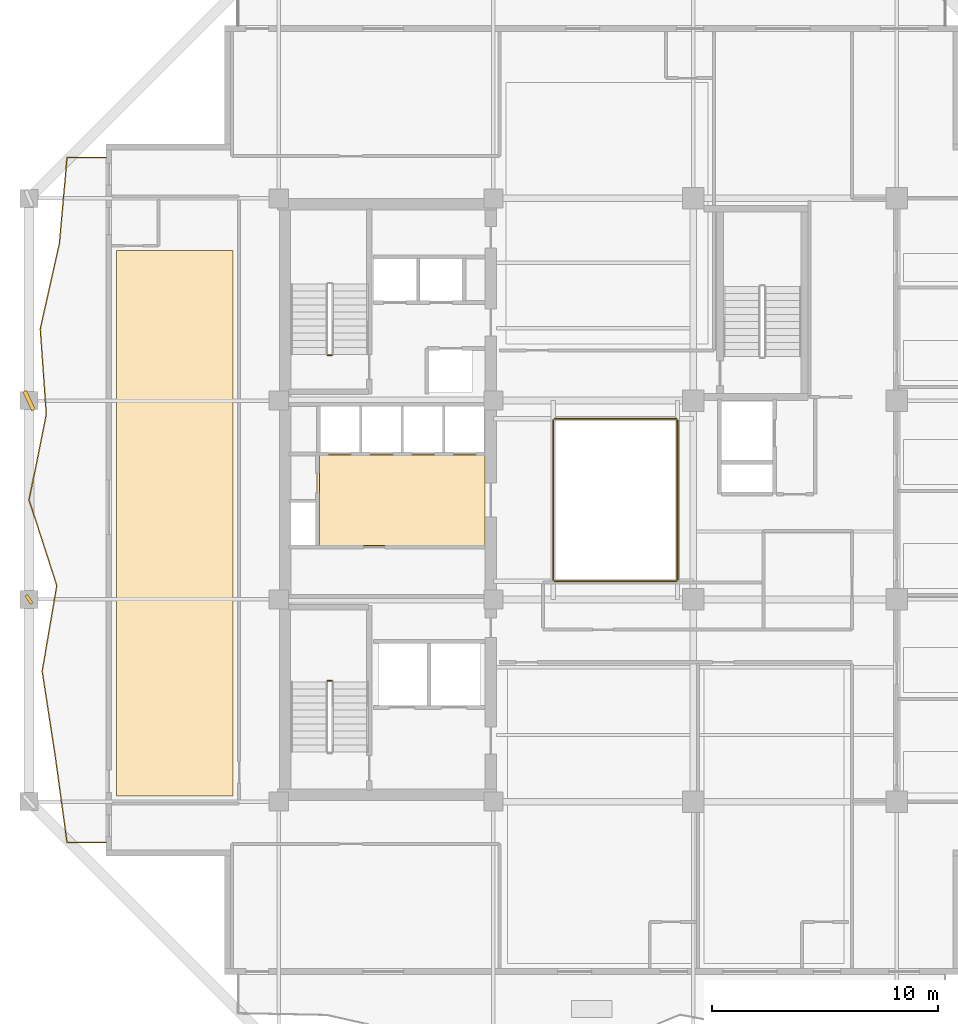
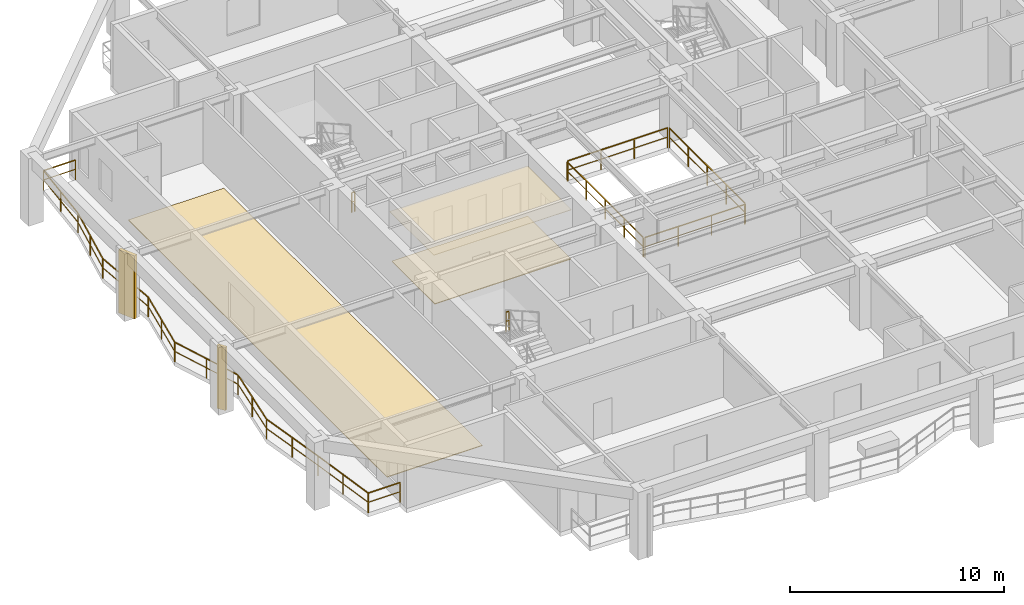
# One storey, part 9 of 13: 7 railings, 3 coverings, 2 shading devices.
"""IFC4 building model written with IfcOpenShell, lengths in metres."""

from ifc_helpers import new_model, si_unit, direction, frame, origin, origin_2d, place, context, subcontext, project, spatial, polyline, rectangle, outline, extrude, material, layer, layer_set, type_object, element, save


model = new_model("IFC4")

# Units and contexts
model_context = context("Model", 3, precision=1e-05, world=origin(), true_north=direction((0.0, 1.0)))
body_context = subcontext(model_context, "Body", "Model", "MODEL_VIEW")
ifc_project = project(units=[si_unit("LENGTHUNIT", "METRE"), si_unit("AREAUNIT", "SQUARE_METRE"), si_unit("VOLUMEUNIT", "CUBIC_METRE"), si_unit("PLANEANGLEUNIT", "RADIAN"), si_unit("MASSUNIT", "GRAM", prefix="KILO")], contexts=[model_context])

# Site, building, storey
site_placement = place(None, origin())
site = spatial("IfcSite", under=ifc_project, at=site_placement, CompositionType="ELEMENT")
building_placement = place(site_placement, origin())
building = spatial("IfcBuilding", under=site, at=building_placement, Name="Kundavana Baori Tower", CompositionType="ELEMENT")
storey_placement = place(building_placement, frame((0.0, 0.0, 184.85009765625)))
storey = spatial("IfcBuildingStorey", under=building, at=storey_placement, Name="L45", CompositionType="ELEMENT", Elevation=184.85009765625)

# Coverings
ifc_material_1 = material(Name="Honed Kota Stone and Terrazzo Flooring", Category="masonry")
ifc_layer_1 = layer(ifc_material_1, 0.0400390625, Name="COV-FLR-TERR-40")
ifc_layer_set_1 = layer_set([ifc_layer_1], Name="Honed Kota Stone and Terrazzo Flooring")
covering_type_1 = type_object("IfcCoveringType", Name="COV-FLR-TERR-40", PredefinedType="FLOORING", material=ifc_layer_set_1)
covering_1_placement = place(storey_placement, origin())
element("IfcCovering", 1, at=covering_1_placement, inside=storey, type_object=covering_type_1, Name="L45 Room Finished Stone Flooring 1", PredefinedType="FLOORING", context=body_context, shape_type="SweptSolid", body=[
    extrude(outline(polyline([(8.280029296875, 15.5), (13.419921875, 15.5), (13.419921875, 39.64990234375), (8.280029296875, 39.64990234375), (8.280029296875, 15.5)])), origin(), (0.0, 0.0, 1.0), 0.039794921875),
])
covering_2_placement = place(storey_placement, origin())
element("IfcCovering", 2, at=covering_2_placement, inside=storey, type_object=covering_type_1, Name="L45 Core Lift Lobby Kota Stone Flooring", PredefinedType="FLOORING", context=body_context, shape_type="SweptSolid", body=[
    extrude(outline(polyline([(17.25, 26.580078125), (24.580078125, 26.580078125), (24.580078125, 30.60009765625), (17.25, 30.60009765625), (17.25, 26.580078125)])), origin(), (0.0, 0.0, 1.0), 0.039794921875),
])
ifc_material_2 = material(Name="Perforated Acoustic Mineral Fibre Ceiling Board")
ifc_layer_2 = layer(ifc_material_2, 0.02490234375, Name="COV-INT-CEIL")
ifc_layer_set_2 = layer_set([ifc_layer_2], Name="Perforated Acoustic Mineral Fibre Ceiling Board")
covering_type_2 = type_object("IfcCoveringType", Name="COV-INT-CEIL", PredefinedType="CEILING", material=ifc_layer_set_2)
covering_3_placement = place(storey_placement, frame((0.0, 0.0, 2.849853515625)))
element("IfcCovering", 3, at=covering_3_placement, inside=storey, type_object=covering_type_2, Name="L45 Core Lift Lobby Acoustic Ceiling", PredefinedType="CEILING", context=body_context, shape_type="SweptSolid", body=[
    extrude(outline(polyline([(17.159912109375, 26.52001953125), (24.580078125, 26.52001953125), (24.580078125, 30.639892578125), (17.159912109375, 30.639892578125), (17.159912109375, 26.52001953125)])), origin(), (0.0, 0.0, 1.0), 0.025146484375),
])

# Railings
ifc_material_3 = material(Name="Architectural Patinated Bronze Metalwork")
railing_type_1 = type_object("IfcRailingType", Name="RL-BAL-1150", PredefinedType="BALUSTRADE", material=ifc_material_3)
railing_1_placement = place(storey_placement, frame((7.800048828125, 13.449951171875, 0.0)))
element("IfcRailing", 4, at=railing_1_placement, inside=storey, type_object=railing_type_1, Name="L45 Loggia Balcony Balustrade W", PredefinedType="BALUSTRADE", context=body_context, shape_type="SweptSolid", body=[
    extrude(rectangle(XDim=0.048095703125, YDim=0.048095703125, at=origin_2d()), frame((0.0, 0.0, 1.1259765625), z_axis=(-1.0, 0.0, 0.0), x_axis=(0.0, -1.0, 0.0)), (0.0, 0.0, 1.0), 1.719970703125),
    extrude(rectangle(XDim=0.03125, YDim=0.03125, at=origin_2d()), frame((0.0, 0.0, 0.597900390625), z_axis=(-1.0, 0.0, 0.0), x_axis=(0.0, -1.0, 0.0)), (0.0, 0.0, 1.0), 1.719970703125),
    extrude(rectangle(XDim=0.048095703125, YDim=0.048095703125, at=origin_2d()), frame((-1.719970703125, 0.0, 1.1259765625), z_axis=(-0.136002139567, 0.990708543434, 0.0), x_axis=(-0.990708543434, -0.136002139567, 0.0)), (0.0, 0.0, 1.0), 3.82373046875),
    extrude(rectangle(XDim=0.03125, YDim=0.03125, at=origin_2d()), frame((-1.719970703125, 0.0, 0.597900390625), z_axis=(-0.136002139567, 0.990708543434, 0.0), x_axis=(-0.990708543434, -0.136002139567, 0.0)), (0.0, 0.0, 1.0), 3.82373046875),
    extrude(rectangle(XDim=0.048095703125, YDim=0.048095703125, at=origin_2d()), frame((-2.239990234375, 3.7880859375, 1.1259765625), z_axis=(-0.151913531628, 0.988393787368, 0.0), x_axis=(-0.988393787368, -0.151913531628, 0.0)), (0.0, 0.0, 1.0), 3.831298828125),
    extrude(rectangle(XDim=0.03125, YDim=0.03125, at=origin_2d()), frame((-2.239990234375, 3.7880859375, 0.597900390625), z_axis=(-0.151913531628, 0.988393787368, 0.0), x_axis=(-0.988393787368, -0.151913531628, 0.0)), (0.0, 0.0, 1.0), 3.831298828125),
    extrude(rectangle(XDim=0.048095703125, YDim=0.048095703125, at=origin_2d()), frame((-2.822021484375, 7.574951171875, 1.1259765625), z_axis=(0.16839585765, 0.985719450516, 0.0), x_axis=(-0.985719450516, 0.16839585765, 0.0)), (0.0, 0.0, 1.0), 3.842041015625),
    extrude(rectangle(XDim=0.03125, YDim=0.03125, at=origin_2d()), frame((-2.822021484375, 7.574951171875, 0.597900390625), z_axis=(0.16839585765, 0.985719450516, 0.0), x_axis=(-0.985719450516, 0.16839585765, 0.0)), (0.0, 0.0, 1.0), 3.842041015625),
    extrude(rectangle(XDim=0.048095703125, YDim=0.048095703125, at=origin_2d()), frame((-2.175048828125, 11.362060546875, 1.1259765625), z_axis=(-0.307715790577, 0.951478319369, 0.0), x_axis=(-0.951478319369, -0.307715790577, 0.0)), (0.0, 0.0, 1.0), 3.981201171875),
    extrude(rectangle(XDim=0.03125, YDim=0.03125, at=origin_2d()), frame((-2.175048828125, 11.362060546875, 0.597900390625), z_axis=(-0.307715790577, 0.951478319369, 0.0), x_axis=(-0.951478319369, -0.307715790577, 0.0)), (0.0, 0.0, 1.0), 3.981201171875),
    extrude(rectangle(XDim=0.048095703125, YDim=0.048095703125, at=origin_2d()), frame((-3.400146484375, 15.150146484375, 1.1259765625), z_axis=(0.19672373461, 0.980458959998, 0.0), x_axis=(-0.980458959998, 0.19672373461, 0.0)), (0.0, 0.0, 1.0), 3.86328125),
    extrude(rectangle(XDim=0.03125, YDim=0.03125, at=origin_2d()), frame((-3.400146484375, 15.150146484375, 0.597900390625), z_axis=(0.19672373461, 0.980458959998, 0.0), x_axis=(-0.980458959998, 0.19672373461, 0.0)), (0.0, 0.0, 1.0), 3.86328125),
    extrude(rectangle(XDim=0.048095703125, YDim=0.048095703125, at=origin_2d()), frame((-2.64013671875, 18.93798828125, 1.1259765625), z_axis=(-0.070287311749, 0.997526788516, 0.0), x_axis=(-0.997526788516, -0.070287311749, 0.0)), (0.0, 0.0, 1.0), 3.79638671875),
    extrude(rectangle(XDim=0.03125, YDim=0.03125, at=origin_2d()), frame((-2.64013671875, 18.93798828125, 0.597900390625), z_axis=(-0.070287311749, 0.997526788516, 0.0), x_axis=(-0.997526788516, -0.070287311749, 0.0)), (0.0, 0.0, 1.0), 3.79638671875),
    extrude(rectangle(XDim=0.048095703125, YDim=0.048095703125, at=origin_2d()), frame((-2.906982421875, 22.72509765625, 1.1259765625), z_axis=(0.218735210275, 0.975784252684, 0.0), x_axis=(-0.975784252684, 0.218735210275, 0.0)), (0.0, 0.0, 1.0), 3.880859375),
    extrude(rectangle(XDim=0.03125, YDim=0.03125, at=origin_2d()), frame((-2.906982421875, 22.72509765625, 0.597900390625), z_axis=(0.218735210275, 0.975784252684, 0.0), x_axis=(-0.975784252684, 0.218735210275, 0.0)), (0.0, 0.0, 1.0), 3.880859375),
    extrude(rectangle(XDim=0.048095703125, YDim=0.048095703125, at=origin_2d()), frame((-2.05810546875, 26.511962890625, 1.1259765625), z_axis=(0.088909192717, 0.996039735879, 0.0), x_axis=(-0.996039735879, 0.088909192717, 0.0)), (0.0, 0.0, 1.0), 3.80322265625),
    extrude(rectangle(XDim=0.03125, YDim=0.03125, at=origin_2d()), frame((-2.05810546875, 26.511962890625, 0.597900390625), z_axis=(0.088909192717, 0.996039735879, 0.0), x_axis=(-0.996039735879, 0.088909192717, 0.0)), (0.0, 0.0, 1.0), 3.80322265625),
    extrude(rectangle(XDim=0.048095703125, YDim=0.048095703125, at=origin_2d()), frame((-1.719970703125, 30.300048828125, 1.1259765625), z_axis=(1.0, 0.0, 0.0), x_axis=(0.0, 1.0, 0.0)), (0.0, 0.0, 1.0), 1.719970703125),
    extrude(rectangle(XDim=0.03125, YDim=0.03125, at=origin_2d()), frame((-1.719970703125, 30.300048828125, 0.597900390625), z_axis=(1.0, 0.0, 0.0), x_axis=(0.0, 1.0, 0.0)), (0.0, 0.0, 1.0), 1.719970703125),
    extrude(rectangle(XDim=0.0419921875, YDim=0.0419921875, at=origin_2d()), origin(), (0.0, 0.0, 1.0), 1.101806640625),
    extrude(rectangle(XDim=0.0419921875, YDim=0.0419921875, at=origin_2d()), frame((-1.719970703125, 0.0, 0.0)), (0.0, 0.0, 1.0), 1.101806640625),
    extrude(rectangle(XDim=0.0419921875, YDim=0.0419921875, at=origin_2d()), frame((-1.97998046875, 1.89404296875, 0.0)), (0.0, 0.0, 1.0), 1.101806640625),
    extrude(rectangle(XDim=0.0419921875, YDim=0.0419921875, at=origin_2d()), frame((-2.239990234375, 3.7880859375, 0.0)), (0.0, 0.0, 1.0), 1.101806640625),
    extrude(rectangle(XDim=0.0419921875, YDim=0.0419921875, at=origin_2d()), frame((-2.531005859375, 5.681640625, 0.0)), (0.0, 0.0, 1.0), 1.101806640625),
    extrude(rectangle(XDim=0.0419921875, YDim=0.0419921875, at=origin_2d()), frame((-2.822021484375, 7.574951171875, 0.0)), (0.0, 0.0, 1.0), 1.101806640625),
    extrude(rectangle(XDim=0.0419921875, YDim=0.0419921875, at=origin_2d()), frame((-2.49853515625, 9.468505859375, 0.0)), (0.0, 0.0, 1.0), 1.101806640625),
    extrude(rectangle(XDim=0.0419921875, YDim=0.0419921875, at=origin_2d()), frame((-2.175048828125, 11.362060546875, 0.0)), (0.0, 0.0, 1.0), 1.101806640625),
    extrude(rectangle(XDim=0.0419921875, YDim=0.0419921875, at=origin_2d()), frame((-2.78759765625, 13.256103515625, 0.0)), (0.0, 0.0, 1.0), 1.101806640625),
    extrude(rectangle(XDim=0.0419921875, YDim=0.0419921875, at=origin_2d()), frame((-3.400146484375, 15.150146484375, 0.0)), (0.0, 0.0, 1.0), 1.101806640625),
    extrude(rectangle(XDim=0.0419921875, YDim=0.0419921875, at=origin_2d()), frame((-3.02001953125, 17.0439453125, 0.0)), (0.0, 0.0, 1.0), 1.101806640625),
    extrude(rectangle(XDim=0.0419921875, YDim=0.0419921875, at=origin_2d()), frame((-2.64013671875, 18.93798828125, 0.0)), (0.0, 0.0, 1.0), 1.101806640625),
    extrude(rectangle(XDim=0.0419921875, YDim=0.0419921875, at=origin_2d()), frame((-2.7734375, 20.83154296875, 0.0)), (0.0, 0.0, 1.0), 1.101806640625),
    extrude(rectangle(XDim=0.0419921875, YDim=0.0419921875, at=origin_2d()), frame((-2.906982421875, 22.72509765625, 0.0)), (0.0, 0.0, 1.0), 1.101806640625),
    extrude(rectangle(XDim=0.0419921875, YDim=0.0419921875, at=origin_2d()), frame((-2.482421875, 24.61865234375, 0.0)), (0.0, 0.0, 1.0), 1.101806640625),
    extrude(rectangle(XDim=0.0419921875, YDim=0.0419921875, at=origin_2d()), frame((-2.05810546875, 26.511962890625, 0.0)), (0.0, 0.0, 1.0), 1.101806640625),
    extrude(rectangle(XDim=0.0419921875, YDim=0.0419921875, at=origin_2d()), frame((-1.88916015625, 28.406005859375, 0.0)), (0.0, 0.0, 1.0), 1.101806640625),
    extrude(rectangle(XDim=0.0419921875, YDim=0.0419921875, at=origin_2d()), frame((-1.719970703125, 30.300048828125, 0.0)), (0.0, 0.0, 1.0), 1.101806640625),
    extrude(rectangle(XDim=0.0419921875, YDim=0.0419921875, at=origin_2d()), frame((0.0, 30.300048828125, 0.0)), (0.0, 0.0, 1.0), 1.101806640625),
])
ifc_material_4 = material(Name="Architectural Patinated Bronze Metalwork")
railing_type_2 = type_object("IfcRailingType", Name="RL-GRD-1150", PredefinedType="GUARDRAIL", material=ifc_material_4)
for number, where, name in (
    (5, (17.7900390625, 20.60009765625, 1.9248046875), "L45 ST1 stair guard 2"),
    (6, (17.7900390625, 35.0, 0.0), "L45 ST2 stair guard 4"),
):
    element("IfcRailing", number, at=place(storey_placement, frame(where)), inside=storey, type_object=railing_type_2, Name=name, PredefinedType="GUARDRAIL", context=body_context, shape_type="SweptSolid", body=[
        extrude(rectangle(XDim=0.048095703125, YDim=0.048095703125, at=origin_2d()), frame((0.0, 0.0, 1.1259765625), z_axis=(-1.0, 0.0, 0.0), x_axis=(0.0, -1.0, 0.0)), (0.0, 0.0, 1.0), 0.16015625),
        extrude(rectangle(XDim=0.03125, YDim=0.03125, at=origin_2d()), frame((0.0, 0.0, 0.597900390625), z_axis=(-1.0, 0.0, 0.0), x_axis=(0.0, -1.0, 0.0)), (0.0, 0.0, 1.0), 0.16015625),
        extrude(rectangle(XDim=0.0419921875, YDim=0.0419921875, at=origin_2d()), origin(), (0.0, 0.0, 1.0), 1.101806640625),
        extrude(rectangle(XDim=0.0419921875, YDim=0.0419921875, at=origin_2d()), frame((-0.16015625, 0.0, 0.0)), (0.0, 0.0, 1.0), 1.101806640625),
    ])
railing_2_placement = place(storey_placement, frame((27.659912109375, 25.0, 0.0)))
element("IfcRailing", 7, at=railing_2_placement, inside=storey, type_object=railing_type_2, Name="L45 Atrium Void Perimeter Guardrail S", PredefinedType="GUARDRAIL", context=body_context, shape_type="SweptSolid", body=[
    extrude(rectangle(XDim=0.048095703125, YDim=0.048095703125, at=origin_2d()), frame((0.0, 0.0, 1.1259765625), z_axis=(1.0, 0.0, 0.0), x_axis=(0.0, 1.0, 0.0)), (0.0, 0.0, 1.0), 5.380126953125),
    extrude(rectangle(XDim=0.03125, YDim=0.03125, at=origin_2d()), frame((0.0, 0.0, 0.597900390625), z_axis=(1.0, 0.0, 0.0), x_axis=(0.0, 1.0, 0.0)), (0.0, 0.0, 1.0), 5.380126953125),
    extrude(rectangle(XDim=0.0419921875, YDim=0.0419921875, at=origin_2d()), origin(), (0.0, 0.0, 1.0), 1.101806640625),
    extrude(rectangle(XDim=0.0419921875, YDim=0.0419921875, at=origin_2d()), frame((1.79345703125, 0.0, 0.0)), (0.0, 0.0, 1.0), 1.101806640625),
    extrude(rectangle(XDim=0.0419921875, YDim=0.0419921875, at=origin_2d()), frame((3.586669921875, 0.0, 0.0)), (0.0, 0.0, 1.0), 1.101806640625),
    extrude(rectangle(XDim=0.0419921875, YDim=0.0419921875, at=origin_2d()), frame((5.380126953125, 0.0, 0.0)), (0.0, 0.0, 1.0), 1.101806640625),
])
railing_3_placement = place(storey_placement, frame((33.10009765625, 25.06005859375, 0.0)))
element("IfcRailing", 8, at=railing_3_placement, inside=storey, type_object=railing_type_2, Name="L45 Atrium Void Perimeter Guardrail E", PredefinedType="GUARDRAIL", context=body_context, shape_type="SweptSolid", body=[
    extrude(rectangle(XDim=0.048095703125, YDim=0.048095703125, at=origin_2d()), frame((0.0, 0.0, 1.1259765625), z_axis=(0.0, 1.0, 0.0), x_axis=(-1.0, 0.0, 0.0)), (0.0, 0.0, 1.0), 7.079833984375),
    extrude(rectangle(XDim=0.03125, YDim=0.03125, at=origin_2d()), frame((0.0, 0.0, 0.597900390625), z_axis=(0.0, 1.0, 0.0), x_axis=(-1.0, 0.0, 0.0)), (0.0, 0.0, 1.0), 7.079833984375),
    extrude(rectangle(XDim=0.0419921875, YDim=0.0419921875, at=origin_2d()), origin(), (0.0, 0.0, 1.0), 1.101806640625),
    extrude(rectangle(XDim=0.0419921875, YDim=0.0419921875, at=origin_2d()), frame((0.0, 1.77001953125, 0.0)), (0.0, 0.0, 1.0), 1.101806640625),
    extrude(rectangle(XDim=0.0419921875, YDim=0.0419921875, at=origin_2d()), frame((0.0, 3.5400390625, 0.0)), (0.0, 0.0, 1.0), 1.101806640625),
    extrude(rectangle(XDim=0.0419921875, YDim=0.0419921875, at=origin_2d()), frame((0.0, 5.309814453125, 0.0)), (0.0, 0.0, 1.0), 1.101806640625),
    extrude(rectangle(XDim=0.0419921875, YDim=0.0419921875, at=origin_2d()), frame((0.0, 7.079833984375, 0.0)), (0.0, 0.0, 1.0), 1.101806640625),
])
railing_4_placement = place(storey_placement, frame((33.0400390625, 32.199951171875, 0.0)))
element("IfcRailing", 9, at=railing_4_placement, inside=storey, type_object=railing_type_2, Name="L45 Atrium Void Perimeter Guardrail N", PredefinedType="GUARDRAIL", context=body_context, shape_type="SweptSolid", body=[
    extrude(rectangle(XDim=0.048095703125, YDim=0.048095703125, at=origin_2d()), frame((0.0, 0.0, 1.1259765625), z_axis=(-1.0, 0.0, 0.0), x_axis=(0.0, -1.0, 0.0)), (0.0, 0.0, 1.0), 5.380126953125),
    extrude(rectangle(XDim=0.03125, YDim=0.03125, at=origin_2d()), frame((0.0, 0.0, 0.597900390625), z_axis=(-1.0, 0.0, 0.0), x_axis=(0.0, -1.0, 0.0)), (0.0, 0.0, 1.0), 5.380126953125),
    extrude(rectangle(XDim=0.0419921875, YDim=0.0419921875, at=origin_2d()), origin(), (0.0, 0.0, 1.0), 1.101806640625),
    extrude(rectangle(XDim=0.0419921875, YDim=0.0419921875, at=origin_2d()), frame((-1.79345703125, 0.0, 0.0)), (0.0, 0.0, 1.0), 1.101806640625),
    extrude(rectangle(XDim=0.0419921875, YDim=0.0419921875, at=origin_2d()), frame((-3.586669921875, 0.0, 0.0)), (0.0, 0.0, 1.0), 1.101806640625),
    extrude(rectangle(XDim=0.0419921875, YDim=0.0419921875, at=origin_2d()), frame((-5.380126953125, 0.0, 0.0)), (0.0, 0.0, 1.0), 1.101806640625),
])
railing_5_placement = place(storey_placement, frame((27.60009765625, 32.139892578125, 0.0)))
element("IfcRailing", 10, at=railing_5_placement, inside=storey, type_object=railing_type_2, Name="L45 Atrium Void Perimeter Guardrail W", PredefinedType="GUARDRAIL", context=body_context, shape_type="SweptSolid", body=[
    extrude(rectangle(XDim=0.048095703125, YDim=0.048095703125, at=origin_2d()), frame((0.0, 0.0, 1.1259765625), z_axis=(0.0, -1.0, 0.0), x_axis=(1.0, 0.0, 0.0)), (0.0, 0.0, 1.0), 7.079833984375),
    extrude(rectangle(XDim=0.03125, YDim=0.03125, at=origin_2d()), frame((0.0, 0.0, 0.597900390625), z_axis=(0.0, -1.0, 0.0), x_axis=(1.0, 0.0, 0.0)), (0.0, 0.0, 1.0), 7.079833984375),
    extrude(rectangle(XDim=0.0419921875, YDim=0.0419921875, at=origin_2d()), origin(), (0.0, 0.0, 1.0), 1.101806640625),
    extrude(rectangle(XDim=0.0419921875, YDim=0.0419921875, at=origin_2d()), frame((0.0, -1.77001953125, 0.0)), (0.0, 0.0, 1.0), 1.101806640625),
    extrude(rectangle(XDim=0.0419921875, YDim=0.0419921875, at=origin_2d()), frame((0.0, -3.5400390625, 0.0)), (0.0, 0.0, 1.0), 1.101806640625),
    extrude(rectangle(XDim=0.0419921875, YDim=0.0419921875, at=origin_2d()), frame((0.0, -5.309814453125, 0.0)), (0.0, 0.0, 1.0), 1.101806640625),
    extrude(rectangle(XDim=0.0419921875, YDim=0.0419921875, at=origin_2d()), frame((0.0, -7.079833984375, 0.0)), (0.0, 0.0, 1.0), 1.101806640625),
])

# Shading devices
ifc_material_5 = material(Name="Red-Buff Dholpur Sandstone Cladding on Concrete C40/50", Category="masonry")
shading_device_type_1 = type_object("IfcShadingDeviceType", Name="SHD-FIN-920", PredefinedType="JALOUSIE", material=ifc_material_5)
shading_device_1_placement = place(storey_placement, frame((4.39990234375, 33.0, -0.000244140625), z_axis=(0.0, 0.0, 1.0), x_axis=(0.905420670312, 0.424515500038, 0.0)))
element("IfcShadingDevice", 11, at=shading_device_1_placement, inside=storey, type_object=shading_device_type_1, Name="L45 Sweeping Dholpur Sandstone Facade Fin 7", PredefinedType="JALOUSIE", context=body_context, shape_type="SweptSolid", body=[
    extrude(rectangle(XDim=0.179931640625, YDim=0.919921875, at=origin_2d()), origin(), (0.0, 0.0, 1.0), 3.60009765625),
])
ifc_material_6 = material(Name="Architectural Patinated Bronze Metalwork")
shading_device_type_2 = type_object("IfcShadingDeviceType", Name="SHD-LOUV-450", PredefinedType="SHUTTER", material=ifc_material_6)
shading_device_2_placement = place(storey_placement, frame((4.39990234375, 24.199951171875, -0.000244140625), z_axis=(0.0, 0.0, 1.0), x_axis=(0.825212091054, 0.564822985348, 0.0)))
element("IfcShadingDevice", 12, at=shading_device_2_placement, inside=storey, type_object=shading_device_type_2, Name="L45 Sweeping Dholpur Sandstone Facade Fin 6", PredefinedType="SHUTTER", context=body_context, shape_type="SweptSolid", body=[
    extrude(rectangle(XDim=0.139892578125, YDim=0.449951171875, at=origin_2d()), origin(), (0.0, 0.0, 1.0), 3.60009765625),
])

save(model, "model.ifc")
